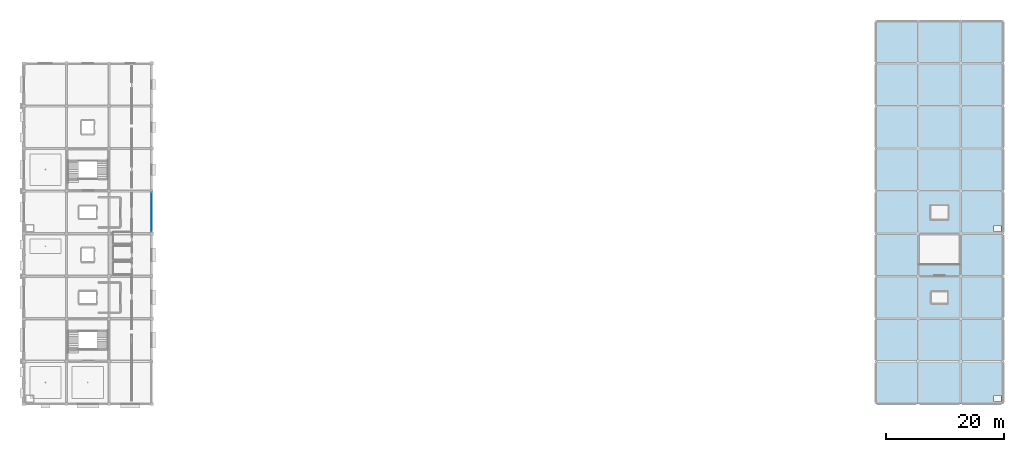
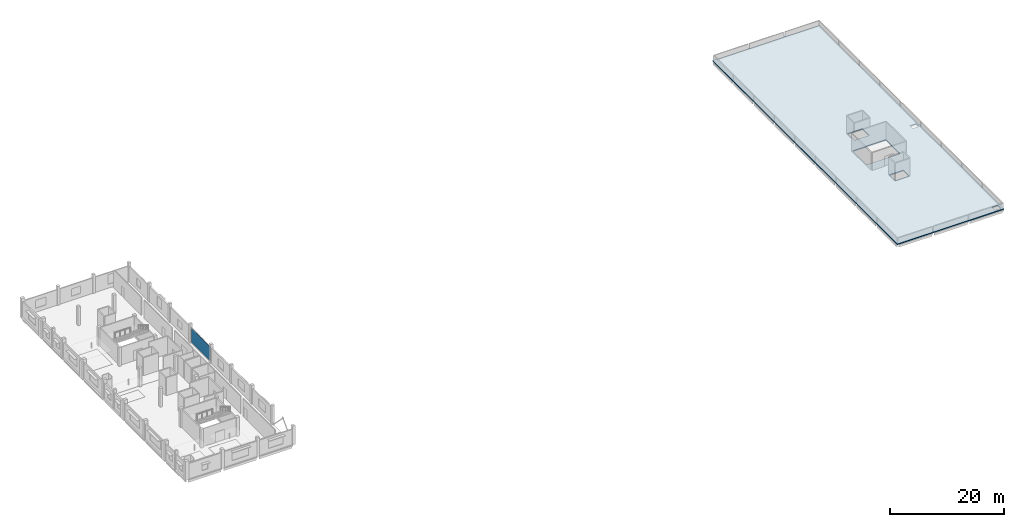
# One storey, part 6 of 15: 1 plate, 1 slab, 1 element without a shape of its own.
"""IFC4 building model written with IfcOpenShell, lengths in metres."""

import ifcopenshell
import ifcopenshell.guid

model = None  # the IFC model being written
_history = None  # IfcOwnerHistory: only IFC2X3 demands one
_inside = {}  # id of a spatial element -> (the spatial element, [elements in it])
_under = {}  # id of a project, library or spatial element -> (it, [spatial elements below it])
_declared = {}  # id of a project -> (the project, [libraries it declares])
_typed = {}  # id of a type object -> (the type object, [elements of that type])
_made_of = {}  # id of a material, layer set ... -> (it, [elements and type objects made of it])


def new_model(schema):
    """Start an empty IFC model of exactly this schema.

    Asked for "IFC4X3", IfcOpenShell would pick the latest addendum, in which some entities
    have other attributes; the version numbers below select the first issue.
    IFC2X3 requires an IfcOwnerHistory on every rooted entity: one is made here for all.
    """
    global model, _history
    if schema == "IFC4X3":
        model = ifcopenshell.file(schema_version=(4, 3, 0, 0))
    else:
        model = ifcopenshell.file(schema=schema)
    _inside.clear()
    _under.clear()
    _declared.clear()
    _typed.clear()
    _made_of.clear()
    _history = None
    if model.schema == "IFC2X3":
        org = make("IfcOrganization", Name="unknown")
        user = make(
            "IfcPersonAndOrganization",
            ThePerson=make("IfcPerson", FamilyName="unknown"),
            TheOrganization=org,
        )
        app = make(
            "IfcApplication",
            ApplicationDeveloper=org,
            Version="unknown",
            ApplicationFullName="unknown",
            ApplicationIdentifier="unknown",
        )
        _history = make(
            "IfcOwnerHistory",
            OwningUser=user,
            OwningApplication=app,
            ChangeAction="ADDED",
            CreationDate=0,
        )
    return model


def make(cls, **values):
    """One entity of the class cls with the attributes given. An attribute that is None is left unset."""
    return model.create_entity(
        cls, **{name: value for name, value in values.items() if value is not None}
    )


def rooted(cls, **values):
    """An entity with a GlobalId (a new one), such as an element, a storey or a relation."""
    return make(cls, GlobalId=ifcopenshell.guid.new(), OwnerHistory=_history, **values)


def si_unit(unit_type, name, prefix=None):
    """IfcSIUnit, for example si_unit("LENGTHUNIT", "METRE", prefix="MILLI")."""
    return make("IfcSIUnit", UnitType=unit_type, Prefix=prefix, Name=name)


def assignment(units):
    """IfcUnitAssignment: the units of a project."""
    return None if units is None else make("IfcUnitAssignment", Units=units)


def point(xyz):
    """IfcCartesianPoint."""
    return None if xyz is None else make("IfcCartesianPoint", Coordinates=xyz)


def direction(xyz):
    """IfcDirection."""
    return None if xyz is None else make("IfcDirection", DirectionRatios=xyz)


def frame(location, z_axis=None, x_axis=None):
    """IfcAxis2Placement3D, a coordinate frame: its origin and axes. An axis left out is left unset."""
    return make(
        "IfcAxis2Placement3D",
        Location=point(location),
        Axis=direction(z_axis),
        RefDirection=direction(x_axis),
    )


def frame_2d(location, x_axis=None):
    """IfcAxis2Placement2D, a coordinate frame in the plane: its origin and x axis."""
    return make(
        "IfcAxis2Placement2D", Location=point(location), RefDirection=direction(x_axis)
    )


def origin():
    """The frame at (0, 0, 0) with its axes left unset."""
    return frame((0.0, 0.0, 0.0))


def origin_2d():
    """The frame at (0, 0) in the plane with its x axis left unset."""
    return frame_2d((0.0, 0.0))


def place(relative_to, where):
    """IfcLocalPlacement: puts the frame where relative to a parent placement (None: the world)."""
    return make(
        "IfcLocalPlacement", PlacementRelTo=relative_to, RelativePlacement=where
    )


def context(
    kind, dimensions, precision=None, world=None, true_north=None, identifier=None
):
    """IfcGeometricRepresentationContext, for example the 3D "Model" context."""
    return make(
        "IfcGeometricRepresentationContext",
        ContextIdentifier=identifier,
        ContextType=kind,
        CoordinateSpaceDimension=dimensions,
        Precision=precision,
        WorldCoordinateSystem=world,
        TrueNorth=true_north,
    )


def subcontext(parent, identifier, kind, view, scale=None):
    """IfcGeometricRepresentationSubContext, for example "Body" below "Model"."""
    return make(
        "IfcGeometricRepresentationSubContext",
        ContextIdentifier=identifier,
        ContextType=kind,
        ParentContext=parent,
        TargetScale=scale,
        TargetView=view,
    )


def project(units=None, contexts=None):
    """IfcProject with its units and contexts."""
    return rooted(
        "IfcProject",
        Name="project",
        RepresentationContexts=contexts,
        UnitsInContext=assignment(units),
    )


def spatial(cls, under=None, at=None, **own):
    """A site, building, storey or space (cls), placed at a placement, below another one or the project."""
    s = rooted(cls, ObjectPlacement=at, **own)
    if under is not None:
        _under.setdefault(under.id(), (under, []))[1].append(s)
    return s


def polyline(points):
    """IfcPolyline through the points."""
    return make("IfcPolyline", Points=[point(p) for p in points])


def profile(cls, at=None, kind="AREA", **sizes):
    """A parametric profile (cls). Its sizes go by their IFC names, for example OverallWidth=200.0."""
    return make(cls, ProfileType=kind, Position=at, **sizes)


def rectangle(**sizes):
    """IfcRectangleProfileDef."""
    return profile("IfcRectangleProfileDef", **sizes)


def outline(outer, holes=None, kind="AREA"):
    """IfcArbitraryClosedProfileDef: a profile drawn as a closed curve; with holes, ...WithVoids."""
    if holes is None:
        return make("IfcArbitraryClosedProfileDef", ProfileType=kind, OuterCurve=outer)
    return make(
        "IfcArbitraryProfileDefWithVoids",
        ProfileType=kind,
        OuterCurve=outer,
        InnerCurves=holes,
    )


def extrude(swept, where, along, depth):
    """IfcExtrudedAreaSolid: the profile swept, set in the frame where, extruded along a direction by depth."""
    return make(
        "IfcExtrudedAreaSolid",
        SweptArea=swept,
        Position=where,
        ExtrudedDirection=direction(along),
        Depth=depth,
    )


def shape(context_of_items, identifier, shape_type, items):
    """IfcShapeRepresentation: the items that make up one representation, for example the "Body"."""
    return make(
        "IfcShapeRepresentation",
        ContextOfItems=context_of_items,
        RepresentationIdentifier=identifier,
        RepresentationType=shape_type,
        Items=items,
    )


def material(Name=None, Category=None):
    """IfcMaterial."""
    return make("IfcMaterial", Name=Name, Category=Category)


def layer(
    of_material, thickness, ventilated=None, Name=None, Category=None, Priority=None
):
    """IfcMaterialLayer: one layer of a wall or slab, of a material (None: an air gap)."""
    return make(
        "IfcMaterialLayer",
        Material=of_material,
        LayerThickness=thickness,
        IsVentilated=ventilated,
        Name=Name,
        Category=Category,
        Priority=Priority,
    )


def layer_set(layers, Name=None):
    """IfcMaterialLayerSet."""
    return make("IfcMaterialLayerSet", MaterialLayers=layers, LayerSetName=Name)


def made_of(thing, what):
    """Note that an element or type object is made of a material, layer set ...; save() writes the relation."""
    if what is not None:
        _made_of.setdefault(what.id(), (what, []))[1].append(thing)
    return thing


def type_object(cls, material=None, **own):
    """A type object (cls), such as IfcWallType, which elements share."""
    return made_of(rooted(cls, **own), material)


def element(
    cls,
    number,
    at=None,
    inside=None,
    cuts=None,
    type_object=None,
    material=None,
    context=None,
    identifier="Body",
    shape_type=None,
    held_by="IfcProductDefinitionShape",
    body=None,
    shapes=None,
    **own,
):
    """One element of the class cls, such as IfcWall. Its Tag is "e" and its number.

    at: its placement. inside: the storey or other place that contains it. cuts: it is an
    opening in that element (IfcRelVoidsElement). A single representation is given by context,
    identifier, shape_type and body (its items); several are given by shapes. held_by: the class
    of the entity that holds the representations. save() writes the other relations.
    """
    e = rooted(cls, Tag="e%d" % number, ObjectPlacement=at, **own)
    if body is not None:
        shapes = [shape(context, identifier, shape_type, body)]
    if shapes is not None:
        e.Representation = make(held_by, Representations=shapes)
    if inside is not None:
        _inside.setdefault(inside.id(), (inside, []))[1].append(e)
    if cuts is not None:
        rooted(
            "IfcRelVoidsElement", RelatingBuildingElement=cuts, RelatedOpeningElement=e
        )
    if type_object is not None:
        _typed.setdefault(type_object.id(), (type_object, []))[1].append(e)
    return made_of(e, material)


def aggregate(whole, parts):
    """IfcRelAggregates: a whole, such as a stair, and the parts it consists of."""
    return rooted("IfcRelAggregates", RelatingObject=whole, RelatedObjects=parts)


def save(model, path):
    """Write the relations noted so far, then the file.

    IfcRelAggregates (storeys below a building ...), IfcRelContainedInSpatialStructure (elements
    in a storey), IfcRelDefinesByType, IfcRelAssociatesMaterial and IfcRelDeclares: one each for
    every whole, place, type object, material and project.
    """
    for whole, parts in _under.values():
        aggregate(whole, parts)
    for where, things in _inside.values():
        rooted(
            "IfcRelContainedInSpatialStructure",
            RelatedElements=things,
            RelatingStructure=where,
        )
    for kind, things in _typed.values():
        rooted("IfcRelDefinesByType", RelatedObjects=things, RelatingType=kind)
    for what, things in _made_of.values():
        rooted("IfcRelAssociatesMaterial", RelatedObjects=things, RelatingMaterial=what)
    for by, libraries in _declared.values():
        rooted("IfcRelDeclares", RelatingContext=by, RelatedDefinitions=libraries)
    model.write(path)


model = new_model("IFC4")

# Units and contexts
model_context = context("Model", 3, precision=1e-05, world=origin(), true_north=direction((0.0, 1.0)))
body_context = subcontext(model_context, "Body", "Model", "MODEL_VIEW")
ifc_project = project(units=[si_unit("LENGTHUNIT", "METRE"), si_unit("AREAUNIT", "SQUARE_METRE"), si_unit("VOLUMEUNIT", "CUBIC_METRE"), si_unit("PLANEANGLEUNIT", "RADIAN"), si_unit("MASSUNIT", "GRAM", prefix="KILO")], contexts=[model_context])

# Site, building, storey
site_placement = place(None, origin())
site = spatial("IfcSite", under=ifc_project, at=site_placement, CompositionType="ELEMENT")
building_placement = place(site_placement, origin())
building = spatial("IfcBuilding", under=site, at=building_placement, Name="Kangsadwip Square Police Headquarters", CompositionType="ELEMENT")
storey_placement = place(building_placement, frame((0.0, 0.0, 29.699951171875)))
storey = spatial("IfcBuildingStorey", under=building, at=storey_placement, Name="L07", CompositionType="ELEMENT", Elevation=29.699951171875)

# Curtain wall, plate
ifc_material_1 = material(Name="Thermally broken anodised aluminium AW-6063-T6", Category="aluminium")
ifc_layer_1 = layer(ifc_material_1, 0.159912109375)
ifc_layer_set_1 = layer_set([ifc_layer_1], Name="Thermally broken anodised aluminium AW-6063-T6")
curtain_wall_type = type_object("IfcCurtainWallType", Name="CourtScreen6685x3300", PredefinedType="USERDEFINED", material=ifc_layer_set_1)
curtain_wall_placement = place(storey_placement, origin())
curtain_wall = element("IfcCurtainWall", 1, at=curtain_wall_placement, inside=storey, type_object=curtain_wall_type, Name="Curtain Wall CW-L07-0216-0651", ObjectType="GLAZED_SCREEN", PredefinedType="USERDEFINED")
ifc_material_2 = material(Name="Double-glazed solar-control low-E safety glass", Category="glass")
ifc_layer_2 = layer(ifc_material_2, 0.02392578125)
ifc_layer_set_2 = layer_set([ifc_layer_2], Name="Double-glazed solar-control low-E safety glass")
plate_type = type_object("IfcPlateType", Name="CwCourtVisionPanel24", PredefinedType="CURTAIN_PANEL", material=ifc_layer_set_2)
plate_placement = place(storey_placement, frame((21.60009765625, 68.41259765625, 0.1201171875), z_axis=(0.0, 0.0, 1.0), x_axis=(0.0, 1.0, 0.0)))
plate = element("IfcPlate", 2, at=plate_placement, type_object=plate_type, Name="CW-53 panel 1.1", PredefinedType="CURTAIN_PANEL", context=body_context, shape_type="SweptSolid", body=[
    extrude(rectangle(XDim=6.56494140625, YDim=0.02392578125, at=origin_2d()), origin(), (0.0, 0.0, 1.0), 3.06005859375),
])
aggregate(curtain_wall, [plate])

# Slab
ifc_material_3 = material(Name="Concrete M35 (35 MPa)", Category="concrete")
ifc_layer_3 = layer(ifc_material_3, 0.215087890625)
ifc_layer_set_3 = layer_set([ifc_layer_3], Name="Concrete M35 (35 MPa)")
slab_type = type_object("IfcSlabType", Name="FlatRoofSlab180", PredefinedType="ROOF", material=ifc_layer_set_3)
slab_placement = place(storey_placement, frame((0.0, 0.0, -0.21484375)))
element("IfcSlab", 3, at=slab_placement, inside=storey, type_object=slab_type, Name="Forensic Wing High Albedo Cool Roof SL-L07-074", PredefinedType="ROOF", context=body_context, shape_type="SweptSolid", body=[
    extrude(outline(polyline([(144.0, 36.0), (144.0, 100.800048828125), (165.60009765625, 100.800048828125), (165.60009765625, 36.0), (144.0, 36.0)]), holes=[polyline([(165.199951171875, 37.39990234375), (164.0, 37.39990234375), (164.0, 36.39990234375), (165.199951171875, 36.39990234375), (165.199951171875, 37.39990234375)]), polyline([(156.199951171875, 55.0), (153.39990234375, 55.0), (153.39990234375, 53.0), (156.199951171875, 53.0), (156.199951171875, 55.0)]), polyline([(158.179931640625, 59.679931640625), (158.179931640625, 64.580078125), (151.419921875, 64.580078125), (151.419921875, 59.679931640625), (158.179931640625, 59.679931640625)]), polyline([(165.199951171875, 66.199951171875), (164.0, 66.199951171875), (164.0, 65.199951171875), (165.199951171875, 65.199951171875), (165.199951171875, 66.199951171875)]), polyline([(156.300048828125, 69.60009765625), (153.300048828125, 69.60009765625), (153.300048828125, 67.199951171875), (156.300048828125, 67.199951171875), (156.300048828125, 69.60009765625)])]), origin(), (0.0, 0.0, 1.0), 0.21484375),
])

save(model, "model.ifc")
